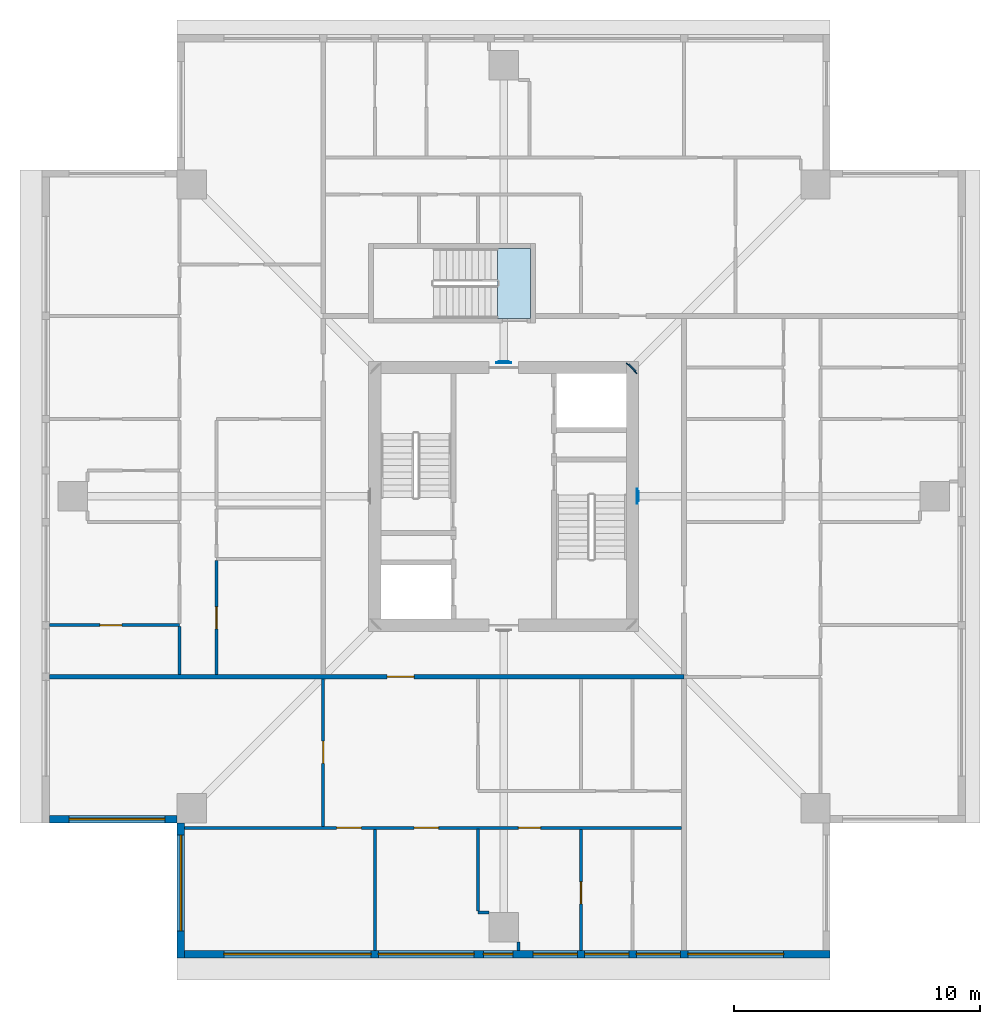
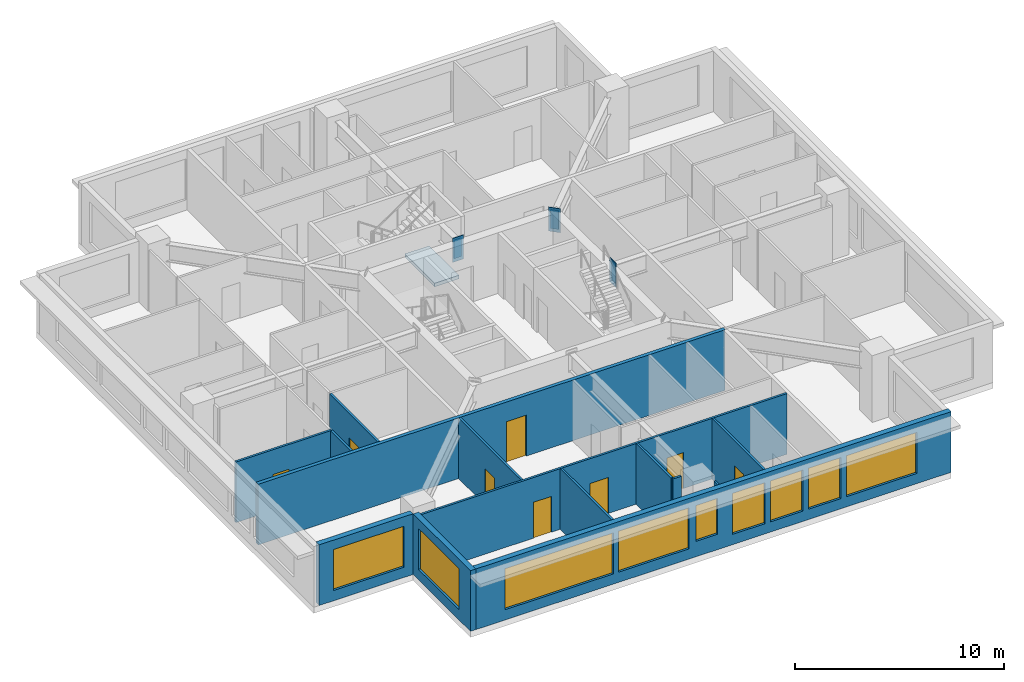
# One storey, part 4 of 11: 14 walls, 9 windows, 8 doors, 6 plates, 1 slab, 17 openings, 1 element without a shape of its own.
"""IFC4 building model written with IfcOpenShell, lengths in metres."""

from ifc_helpers import new_model, si_unit, direction, frame, frame_2d, origin, origin_2d, place, context, subcontext, project, spatial, polyline, rectangle, outline, extrude, material, layer, layer_set, type_object, element, fill, aggregate, save


model = new_model("IFC4")

# Units and contexts
model_context = context("Model", 3, precision=1e-05, world=origin(), true_north=direction((0.0, 1.0)))
body_context = subcontext(model_context, "Body", "Model", "MODEL_VIEW")
ifc_project = project(units=[si_unit("LENGTHUNIT", "METRE"), si_unit("AREAUNIT", "SQUARE_METRE"), si_unit("VOLUMEUNIT", "CUBIC_METRE"), si_unit("PLANEANGLEUNIT", "RADIAN"), si_unit("MASSUNIT", "GRAM", prefix="KILO")], contexts=[model_context])

# Site, building, storey
site_placement = place(None, origin())
site = spatial("IfcSite", under=ifc_project, at=site_placement, CompositionType="ELEMENT")
building_placement = place(site_placement, origin())
building = spatial("IfcBuilding", under=site, at=building_placement, Name="Khepri Terraces", CompositionType="ELEMENT")
storey_placement = place(building_placement, frame((0.0, 0.0, 308.39990234375)))
storey = spatial("IfcBuildingStorey", under=building, at=storey_placement, Name="L74", CompositionType="ELEMENT", Elevation=308.39990234375)

# Plates
ifc_material_1 = material(Name="Steel S355", Category="steel")
ifc_layer_1 = layer(ifc_material_1, 0.034912109375, Name="Steel S355", Category="steel")
ifc_layer_set_1 = layer_set([ifc_layer_1], Name="Steel S355")
plate_type_1 = type_object("IfcPlateType", Name="Cast-in plate 1400x600x35", PredefinedType="USERDEFINED", material=ifc_layer_set_1)
for number, where, z_axis, x_axis, name in (
    (1, (5.4423828125, 0.0, 2.35009765625), (0.0, 0.0, 1.0), (1.0, 0.0, 0.0), "CAST-IN PLATE CG-L74-E MID wall A"),
    (2, (0.0, 5.4423828125, 2.35009765625), (0.0, 0.0, 1.0), (0.0, 1.0, 0.0), "CAST-IN PLATE CG-L74-N MID wall A"),
    (3, (5.209228515625, 5.209228515625, 2.35009765625), (0.0, 0.0, 1.0), (0.707106781187, 0.707106781187, 0.0), "CAST-IN PLATE CG-L74-EN MID wall A"),
):
    element("IfcPlate", number, at=place(storey_placement, frame(where, z_axis=z_axis, x_axis=x_axis)), inside=storey, type_object=plate_type_1, Name=name, ObjectType="CAST-IN PLATE", PredefinedType="USERDEFINED", context=body_context, shape_type="SweptSolid", body=[
        extrude(rectangle(XDim=0.034912109375, YDim=0.60009765625, at=origin_2d()), origin(), (0.0, 0.0, 1.0), 1.39990234375),
    ])
ifc_layer_2 = layer(ifc_material_1, 0.0400390625, Name="Steel S355", Category="steel")
ifc_layer_set_2 = layer_set([ifc_layer_2], Name="Steel S355")
plate_type_2 = type_object("IfcPlateType", Name="End plate 1100x400x40", PredefinedType="USERDEFINED", material=ifc_layer_set_2)
for number, where, z_axis, x_axis, name in (
    (4, (5.47998046875, 0.0, 2.5), (0.0, 0.0, 1.0), (1.0, 0.0, 0.0), "END PLATE CG-L74-E MID end A"),
    (5, (0.0, 5.47998046875, 2.5), (0.0, 0.0, 1.0), (0.0, 1.0, 0.0), "END PLATE CG-L74-N MID end A"),
    (6, (5.23583984375, 5.23583984375, 2.5), (0.0, 0.0, 1.0), (0.707106781187, 0.707106781187, 0.0), "END PLATE CG-L74-EN MID end A"),
):
    element("IfcPlate", number, at=place(storey_placement, frame(where, z_axis=z_axis, x_axis=x_axis)), inside=storey, type_object=plate_type_2, Name=name, ObjectType="END PLATE", PredefinedType="USERDEFINED", context=body_context, shape_type="SweptSolid", body=[
        extrude(rectangle(XDim=0.0400390625, YDim=0.39990234375, at=origin_2d()), origin(), (0.0, 0.0, 1.0), 1.10009765625),
    ])

# Stair, slab
ifc_material_2 = material(Name="Concrete C40/50", Category="concrete")
stair_type = type_object("IfcStairType", Name="STAIR-RC-22R", PredefinedType="HALF_TURN_STAIR", material=ifc_material_2)
stair_placement = place(storey_placement, origin())
stair = element("IfcStair", 7, at=stair_placement, inside=storey, type_object=stair_type, Name="L74 Exit Stair ST-3", PredefinedType="HALF_TURN_STAIR")
ifc_layer_3 = layer(ifc_material_2, 0.199951171875, Name="Concrete C40/50", Category="concrete")
ifc_layer_set_3 = layer_set([ifc_layer_3], Name="Concrete C40/50")
slab_type = type_object("IfcSlabType", Name="SLB-CORE-LANDING", PredefinedType="LANDING", material=ifc_layer_set_3)
slab_placement = place(storey_placement, frame((0.0, 0.0, -0.199951171875)))
slab = element("IfcSlab", 8, at=slab_placement, type_object=slab_type, Name="ST-3 landing 1", PredefinedType="LANDING", context=body_context, shape_type="SweptSolid", body=[
    extrude(outline(polyline([(1.10009765625, 10.10009765625), (-0.25, 10.10009765625), (-0.25, 7.25), (1.10009765625, 7.25), (1.10009765625, 10.10009765625)])), origin(), (0.0, 0.0, 1.0), 0.199951171875),
])
aggregate(stair, [slab])

# Wall, opening, door
ifc_material_3 = material(Name="Fire-rated gypsum plasterboard partition, mineral wool")
ifc_layer_4 = layer(ifc_material_3, 0.199951171875, Name="Fire-rated gypsum plasterboard partition, mineral wool")
ifc_layer_set_4 = layer_set([ifc_layer_4], Name="Fire-rated gypsum plasterboard partition, mineral wool")
wall_type_1 = type_object("IfcWallType", Name="WL-CORR-200", PredefinedType="PARTITIONING", material=ifc_layer_set_4)
wall_1_placement = place(storey_placement, frame((-18.5, -7.35009765625, 0.0), z_axis=(0.0, 0.0, 1.0), x_axis=(1.0, 0.0, 0.0)))
wall_1 = element("IfcWall", 9, at=wall_1_placement, inside=storey, type_object=wall_type_1, Name="Partition P-015 L74", PredefinedType="PARTITIONING", context=body_context, shape_type="SweptSolid", body=[
    extrude(rectangle(XDim=25.85009765625, YDim=0.199951171875, at=frame_2d((12.925048828125, 0.0))), origin(), (0.0, 0.0, 1.0), 3.550048828125),
])
opening_1_placement = place(wall_1_placement, frame((13.75, 0.0, 0.0)))
opening_1 = element("IfcOpeningElement", 10, at=opening_1_placement, cuts=wall_1, Name="Opening D1", PredefinedType="OPENING", context=body_context, shape_type="SweptSolid", body=[
    extrude(rectangle(XDim=1.10009765625, YDim=2.39990234375, at=frame_2d((0.550048828125, 1.199951171875))), frame((0.0, 0.10986328125, 0.0), z_axis=(0.0, -1.0, 0.0), x_axis=(1.0, 0.0, 0.0)), (0.0, 0.0, 1.0), 0.219970703125),
])
ifc_material_4 = material(Name="Solid-core timber door leaf, flat entrance door", Category="wood")
door_type_1 = type_object("IfcDoorType", Name="DR-ENT-1100", OperationType="NOTDEFINED", PredefinedType="DOOR", material=ifc_material_4)
door_1_placement = place(opening_1_placement, frame((1.10009765625, 0.0, 0.0), z_axis=(0.0, 0.0, 1.0), x_axis=(-1.0, 0.0, 0.0)))
door_1 = element("IfcDoor", 11, at=door_1_placement, inside=storey, type_object=door_type_1, Name="Flat A1 entrance door", OperationType="SINGLE_SWING_LEFT", OverallHeight=2.39990234375, OverallWidth=1.10009765625, PredefinedType="DOOR", context=body_context, shape_type="SweptSolid", body=[
    extrude(rectangle(XDim=1.10009765625, YDim=2.39990234375, at=frame_2d((0.550048828125, 1.199951171875))), frame((0.0, 0.02490234375, 0.0), z_axis=(0.0, -1.0, 0.0), x_axis=(1.0, 0.0, 0.0)), (0.0, 0.0, 1.0), 0.050048828125),
])
fill(opening_1, door_1)

# Wall, opening, window
ifc_material_5 = material(Name="Precast concrete C50/60 warm stone", Category="masonry")
ifc_layer_5 = layer(ifc_material_5, 0.300048828125, Name="Precast concrete C50/60 warm stone", Category="masonry")
ifc_layer_set_5 = layer_set([ifc_layer_5], Name="Precast concrete C50/60 warm stone")
wall_type_2 = type_object("IfcWallType", Name="WL-EXT-PRECAST-300", PredefinedType="STANDARD", material=ifc_layer_set_5)
wall_2_placement = place(storey_placement, frame((-18.5, -13.14990234375, 0.0), z_axis=(0.0, 0.0, 1.0), x_axis=(1.0, 0.0, 0.0)))
wall_2 = element("IfcWall", 12, at=wall_2_placement, inside=storey, type_object=wall_type_2, Name="External wall L74 S", PredefinedType="STANDARD", context=body_context, shape_type="SweptSolid", body=[
    extrude(rectangle(XDim=5.199951171875, YDim=0.300048828125, at=frame_2d((2.60009765625, 0.0))), origin(), (0.0, 0.0, 1.0), 3.550048828125),
])
opening_2_placement = place(wall_2_placement, frame((0.800048828125, 0.0, 0.60009765625)))
opening_2 = element("IfcOpeningElement", 13, at=opening_2_placement, cuts=wall_2, Name="Opening WC2", PredefinedType="OPENING", context=body_context, shape_type="SweptSolid", body=[
    extrude(rectangle(XDim=3.89990234375, YDim=2.39990234375, at=frame_2d((1.949951171875, 1.199951171875))), frame((0.0, 0.16015625, 0.0), z_axis=(0.0, -1.0, 0.0), x_axis=(1.0, 0.0, 0.0)), (0.0, 0.0, 1.0), 0.320068359375),
])
ifc_material_6 = material(Name="Clear glass", Category="glass")
window_type_1 = type_object("IfcWindowType", Name="WIN-CRN-3900x2400", PartitioningType="SINGLE_PANEL", PredefinedType="WINDOW", material=ifc_material_6)
window_1_placement = place(opening_2_placement, origin())
window_1 = element("IfcWindow", 14, at=window_1_placement, inside=storey, type_object=window_type_1, Name="Window L74 S", OverallHeight=2.39990234375, OverallWidth=3.89990234375, PartitioningType="SINGLE_PANEL", PredefinedType="WINDOW", context=body_context, shape_type="SweptSolid", body=[
    extrude(rectangle(XDim=3.89990234375, YDim=2.39990234375, at=frame_2d((1.949951171875, 1.199951171875))), frame((0.0, 0.030029296875, 0.0), z_axis=(0.0, -1.0, 0.0), x_axis=(1.0, 0.0, 0.0)), (0.0, 0.0, 1.0), 0.06005859375),
])
fill(opening_2, window_1)

wall_3_placement = place(storey_placement, frame((-13.14990234375, -13.300048828125, 0.0), z_axis=(0.0, 0.0, 1.0), x_axis=(0.0, -1.0, 0.0)))
wall_3 = element("IfcWall", 15, at=wall_3_placement, inside=storey, type_object=wall_type_2, Name="External wall L74 W", PredefinedType="STANDARD", context=body_context, shape_type="SweptSolid", body=[
    extrude(rectangle(XDim=5.5, YDim=0.300048828125, at=frame_2d((2.75, 0.0))), origin(), (0.0, 0.0, 1.0), 3.550048828125),
])
opening_3_placement = place(wall_3_placement, frame((0.5, 0.0, 0.60009765625)))
opening_3 = element("IfcOpeningElement", 16, at=opening_3_placement, cuts=wall_3, Name="Opening WC2", PredefinedType="OPENING", context=body_context, shape_type="SweptSolid", body=[
    extrude(rectangle(XDim=3.89990234375, YDim=2.39990234375, at=frame_2d((1.949951171875, 1.199951171875))), frame((0.0, 0.16015625, 0.0), z_axis=(0.0, -1.0, 0.0), x_axis=(1.0, 0.0, 0.0)), (0.0, 0.0, 1.0), 0.320068359375),
])
window_2_placement = place(opening_3_placement, origin())
window_2 = element("IfcWindow", 17, at=window_2_placement, inside=storey, type_object=window_type_1, Name="Window L74 W", OverallHeight=2.39990234375, OverallWidth=3.89990234375, PartitioningType="SINGLE_PANEL", PredefinedType="WINDOW", context=body_context, shape_type="SweptSolid", body=[
    extrude(rectangle(XDim=3.89990234375, YDim=2.39990234375, at=frame_2d((1.949951171875, 1.199951171875))), frame((0.0, 0.030029296875, 0.0), z_axis=(0.0, -1.0, 0.0), x_axis=(1.0, 0.0, 0.0)), (0.0, 0.0, 1.0), 0.06005859375),
])
fill(opening_3, window_2)

# Wall, openings, windows
wall_4_placement = place(storey_placement, frame((-13.0, -18.64990234375, 0.0), z_axis=(0.0, 0.0, 1.0), x_axis=(1.0, 0.0, 0.0)))
wall_4 = element("IfcWall", 18, at=wall_4_placement, inside=storey, type_object=wall_type_2, Name="External wall L74 S", PredefinedType="STANDARD", context=body_context, shape_type="SweptSolid", body=[
    extrude(rectangle(XDim=26.300048828125, YDim=0.300048828125, at=frame_2d((13.14990234375, 0.0))), origin(), (0.0, 0.0, 1.0), 3.550048828125),
])
opening_4_placement = place(wall_4_placement, frame((1.60009765625, 0.0, 0.60009765625)))
opening_4 = element("IfcOpeningElement", 19, at=opening_4_placement, cuts=wall_4, Name="Opening WC3", PredefinedType="OPENING", context=body_context, shape_type="SweptSolid", body=[
    extrude(rectangle(XDim=6.0, YDim=2.39990234375, at=frame_2d((3.0, 1.199951171875))), frame((0.0, 0.16015625, 0.0), z_axis=(0.0, -1.0, 0.0), x_axis=(1.0, 0.0, 0.0)), (0.0, 0.0, 1.0), 0.320068359375),
])
opening_5_placement = place(wall_4_placement, frame((7.89990234375, 0.0, 0.60009765625)))
opening_5 = element("IfcOpeningElement", 20, at=opening_5_placement, cuts=wall_4, Name="Opening WC2", PredefinedType="OPENING", context=body_context, shape_type="SweptSolid", body=[
    extrude(rectangle(XDim=3.89990234375, YDim=2.39990234375, at=frame_2d((1.949951171875, 1.199951171875))), frame((0.0, 0.16015625, 0.0), z_axis=(0.0, -1.0, 0.0), x_axis=(1.0, 0.0, 0.0)), (0.0, 0.0, 1.0), 0.320068359375),
])
opening_6_placement = place(wall_4_placement, frame((14.199951171875, 0.0, 0.60009765625)))
opening_6 = element("IfcOpeningElement", 21, at=opening_6_placement, cuts=wall_4, Name="Opening WC1", PredefinedType="OPENING", context=body_context, shape_type="SweptSolid", body=[
    extrude(rectangle(XDim=1.800048828125, YDim=2.39990234375, at=frame_2d((0.89990234375, 1.199951171875))), frame((0.0, 0.16015625, 0.0), z_axis=(0.0, -1.0, 0.0), x_axis=(1.0, 0.0, 0.0)), (0.0, 0.0, 1.0), 0.320068359375),
])
opening_7_placement = place(wall_4_placement, frame((16.300048828125, 0.0, 0.60009765625)))
opening_7 = element("IfcOpeningElement", 22, at=opening_7_placement, cuts=wall_4, Name="Opening WC1", PredefinedType="OPENING", context=body_context, shape_type="SweptSolid", body=[
    extrude(rectangle(XDim=1.800048828125, YDim=2.39990234375, at=frame_2d((0.89990234375, 1.199951171875))), frame((0.0, 0.16015625, 0.0), z_axis=(0.0, -1.0, 0.0), x_axis=(1.0, 0.0, 0.0)), (0.0, 0.0, 1.0), 0.320068359375),
])
opening_8_placement = place(wall_4_placement, frame((18.39990234375, 0.0, 0.60009765625)))
opening_8 = element("IfcOpeningElement", 23, at=opening_8_placement, cuts=wall_4, Name="Opening WC1", PredefinedType="OPENING", context=body_context, shape_type="SweptSolid", body=[
    extrude(rectangle(XDim=1.800048828125, YDim=2.39990234375, at=frame_2d((0.89990234375, 1.199951171875))), frame((0.0, 0.16015625, 0.0), z_axis=(0.0, -1.0, 0.0), x_axis=(1.0, 0.0, 0.0)), (0.0, 0.0, 1.0), 0.320068359375),
])
opening_9_placement = place(wall_4_placement, frame((20.5, 0.0, 0.60009765625)))
opening_9 = element("IfcOpeningElement", 24, at=opening_9_placement, cuts=wall_4, Name="Opening WC2", PredefinedType="OPENING", context=body_context, shape_type="SweptSolid", body=[
    extrude(rectangle(XDim=3.89990234375, YDim=2.39990234375, at=frame_2d((1.949951171875, 1.199951171875))), frame((0.0, 0.16015625, 0.0), z_axis=(0.0, -1.0, 0.0), x_axis=(1.0, 0.0, 0.0)), (0.0, 0.0, 1.0), 0.320068359375),
])
opening_10_placement = place(wall_4_placement, frame((12.175048828125, 0.0, 0.89990234375)))
opening_10 = element("IfcOpeningElement", 25, at=opening_10_placement, cuts=wall_4, Name="Opening W4", PredefinedType="OPENING", context=body_context, shape_type="SweptSolid", body=[
    extrude(rectangle(XDim=1.199951171875, YDim=2.10009765625, at=frame_2d((0.60009765625, 1.050048828125))), frame((0.0, 0.16015625, 0.0), z_axis=(0.0, -1.0, 0.0), x_axis=(1.0, 0.0, 0.0)), (0.0, 0.0, 1.0), 0.320068359375),
])
window_type_2 = type_object("IfcWindowType", Name="WIN-CRN-1800x2400", PartitioningType="SINGLE_PANEL", PredefinedType="WINDOW", material=ifc_material_6)
window_3_placement = place(opening_6_placement, origin())
window_3 = element("IfcWindow", 26, at=window_3_placement, inside=storey, type_object=window_type_2, Name="Window L74 S", OverallHeight=2.39990234375, OverallWidth=1.800048828125, PartitioningType="SINGLE_PANEL", PredefinedType="WINDOW", context=body_context, shape_type="SweptSolid", body=[
    extrude(rectangle(XDim=1.800048828125, YDim=2.39990234375, at=frame_2d((0.89990234375, 1.199951171875))), frame((0.0, 0.030029296875, 0.0), z_axis=(0.0, -1.0, 0.0), x_axis=(1.0, 0.0, 0.0)), (0.0, 0.0, 1.0), 0.06005859375),
])
fill(opening_6, window_3)
window_4_placement = place(opening_7_placement, origin())
window_4 = element("IfcWindow", 27, at=window_4_placement, inside=storey, type_object=window_type_2, Name="Window L74 S", OverallHeight=2.39990234375, OverallWidth=1.800048828125, PartitioningType="SINGLE_PANEL", PredefinedType="WINDOW", context=body_context, shape_type="SweptSolid", body=[
    extrude(rectangle(XDim=1.800048828125, YDim=2.39990234375, at=frame_2d((0.89990234375, 1.199951171875))), frame((0.0, 0.030029296875, 0.0), z_axis=(0.0, -1.0, 0.0), x_axis=(1.0, 0.0, 0.0)), (0.0, 0.0, 1.0), 0.06005859375),
])
fill(opening_7, window_4)
window_5_placement = place(opening_8_placement, origin())
window_5 = element("IfcWindow", 28, at=window_5_placement, inside=storey, type_object=window_type_2, Name="Window L74 S", OverallHeight=2.39990234375, OverallWidth=1.800048828125, PartitioningType="SINGLE_PANEL", PredefinedType="WINDOW", context=body_context, shape_type="SweptSolid", body=[
    extrude(rectangle(XDim=1.800048828125, YDim=2.39990234375, at=frame_2d((0.89990234375, 1.199951171875))), frame((0.0, 0.030029296875, 0.0), z_axis=(0.0, -1.0, 0.0), x_axis=(1.0, 0.0, 0.0)), (0.0, 0.0, 1.0), 0.06005859375),
])
fill(opening_8, window_5)
window_6_placement = place(opening_5_placement, origin())
window_6 = element("IfcWindow", 29, at=window_6_placement, inside=storey, type_object=window_type_1, Name="Window L74 S", OverallHeight=2.39990234375, OverallWidth=3.89990234375, PartitioningType="SINGLE_PANEL", PredefinedType="WINDOW", context=body_context, shape_type="SweptSolid", body=[
    extrude(rectangle(XDim=3.89990234375, YDim=2.39990234375, at=frame_2d((1.949951171875, 1.199951171875))), frame((0.0, 0.030029296875, 0.0), z_axis=(0.0, -1.0, 0.0), x_axis=(1.0, 0.0, 0.0)), (0.0, 0.0, 1.0), 0.06005859375),
])
fill(opening_5, window_6)
window_7_placement = place(opening_9_placement, origin())
window_7 = element("IfcWindow", 30, at=window_7_placement, inside=storey, type_object=window_type_1, Name="Window L74 S", OverallHeight=2.39990234375, OverallWidth=3.89990234375, PartitioningType="SINGLE_PANEL", PredefinedType="WINDOW", context=body_context, shape_type="SweptSolid", body=[
    extrude(rectangle(XDim=3.89990234375, YDim=2.39990234375, at=frame_2d((1.949951171875, 1.199951171875))), frame((0.0, 0.030029296875, 0.0), z_axis=(0.0, -1.0, 0.0), x_axis=(1.0, 0.0, 0.0)), (0.0, 0.0, 1.0), 0.06005859375),
])
fill(opening_9, window_7)
window_type_3 = type_object("IfcWindowType", Name="WIN-CRN-6000x2400", PartitioningType="SINGLE_PANEL", PredefinedType="WINDOW", material=ifc_material_6)
window_8_placement = place(opening_4_placement, origin())
window_8 = element("IfcWindow", 31, at=window_8_placement, inside=storey, type_object=window_type_3, Name="Window L74 S", OverallHeight=2.39990234375, OverallWidth=6.0, PartitioningType="SINGLE_PANEL", PredefinedType="WINDOW", context=body_context, shape_type="SweptSolid", body=[
    extrude(rectangle(XDim=6.0, YDim=2.39990234375, at=frame_2d((3.0, 1.199951171875))), frame((0.0, 0.030029296875, 0.0), z_axis=(0.0, -1.0, 0.0), x_axis=(1.0, 0.0, 0.0)), (0.0, 0.0, 1.0), 0.06005859375),
])
fill(opening_4, window_8)
window_type_4 = type_object("IfcWindowType", Name="WIN-RES-1200x2100", PartitioningType="SINGLE_PANEL", PredefinedType="WINDOW", material=ifc_material_6)
window_9_placement = place(opening_10_placement, origin())
window_9 = element("IfcWindow", 32, at=window_9_placement, inside=storey, type_object=window_type_4, Name="Window L74 S", OverallHeight=2.10009765625, OverallWidth=1.199951171875, PartitioningType="SINGLE_PANEL", PredefinedType="WINDOW", context=body_context, shape_type="SweptSolid", body=[
    extrude(rectangle(XDim=1.199951171875, YDim=2.10009765625, at=frame_2d((0.60009765625, 1.050048828125))), frame((0.0, 0.030029296875, 0.0), z_axis=(0.0, -1.0, 0.0), x_axis=(1.0, 0.0, 0.0)), (0.0, 0.0, 1.0), 0.06005859375),
])
fill(opening_10, window_9)

# Walls
ifc_material_7 = material(Name="Gypsum plasterboard partition")
ifc_layer_6 = layer(ifc_material_7, 0.1201171875, Name="Gypsum plasterboard partition")
ifc_layer_set_6 = layer_set([ifc_layer_6], Name="Gypsum plasterboard partition")
wall_type_3 = type_object("IfcWallType", Name="WL-PART-120", PredefinedType="PARTITIONING", material=ifc_layer_set_6)
wall_5_placement = place(storey_placement, frame((-5.25, -18.5, 0.0), z_axis=(0.0, 0.0, 1.0), x_axis=(0.0, 1.0, 0.0)))
element("IfcWall", 33, at=wall_5_placement, inside=storey, type_object=wall_type_3, Name="Partition P-001 L74", PredefinedType="PARTITIONING", context=body_context, shape_type="SweptSolid", body=[
    extrude(rectangle(XDim=4.93994140625, YDim=0.1201171875, at=frame_2d((2.469970703125, 0.0))), origin(), (0.0, 0.0, 1.0), 3.550048828125),
])
wall_6_placement = place(storey_placement, frame((0.60107421875, -18.5, 0.0), z_axis=(0.0, 0.0, 1.0), x_axis=(0.0, 1.0, 0.0)))
element("IfcWall", 34, at=wall_6_placement, inside=storey, type_object=wall_type_3, Name="Partition P-002 L74", PredefinedType="PARTITIONING", context=body_context, shape_type="SweptSolid", body=[
    extrude(rectangle(XDim=0.35009765625, YDim=0.1201171875, at=frame_2d((0.175048828125, 0.0))), origin(), (0.0, 0.0, 1.0), 3.550048828125),
])

# Wall, opening, door
wall_7_placement = place(storey_placement, frame((3.14990234375, -18.5, 0.0), z_axis=(0.0, 0.0, 1.0), x_axis=(0.0, 1.0, 0.0)))
wall_7 = element("IfcWall", 35, at=wall_7_placement, inside=storey, type_object=wall_type_3, Name="Partition P-003 L74", PredefinedType="PARTITIONING", context=body_context, shape_type="SweptSolid", body=[
    extrude(rectangle(XDim=4.93994140625, YDim=0.1201171875, at=frame_2d((2.469970703125, 0.0))), origin(), (0.0, 0.0, 1.0), 3.550048828125),
])
opening_11_placement = place(wall_7_placement, frame((1.89990234375, 0.0, 0.0)))
opening_11 = element("IfcOpeningElement", 36, at=opening_11_placement, cuts=wall_7, Name="Opening D3", PredefinedType="OPENING", context=body_context, shape_type="SweptSolid", body=[
    extrude(rectangle(XDim=0.89990234375, YDim=2.10009765625, at=frame_2d((0.449951171875, 1.050048828125))), frame((0.0, 0.070068359375, 0.0), z_axis=(0.0, -1.0, 0.0), x_axis=(1.0, 0.0, 0.0)), (0.0, 0.0, 1.0), 0.14013671875),
])
ifc_material_8 = material(Name="Timber door leaf", Category="wood")
door_type_2 = type_object("IfcDoorType", Name="DR-INT-900", OperationType="NOTDEFINED", PredefinedType="DOOR", material=ifc_material_8)
door_2_placement = place(opening_11_placement, frame((0.89990234375, 0.0, 0.0), z_axis=(0.0, 0.0, 1.0), x_axis=(-1.0, 0.0, 0.0)))
door_2 = element("IfcDoor", 37, at=door_2_placement, inside=storey, type_object=door_type_2, Name="Door Dressing Room", OperationType="SINGLE_SWING_RIGHT", OverallHeight=2.10009765625, OverallWidth=0.89990234375, PredefinedType="DOOR", context=body_context, shape_type="SweptSolid", body=[
    extrude(rectangle(XDim=0.89990234375, YDim=2.10009765625, at=frame_2d((0.449951171875, 1.050048828125))), frame((0.0, 0.02490234375, 0.0), z_axis=(0.0, -1.0, 0.0), x_axis=(1.0, 0.0, 0.0)), (0.0, 0.0, 1.0), 0.050048828125),
])
fill(opening_11, door_2)

# Walls
wall_8_placement = place(storey_placement, frame((-1.050048828125, -16.948974609375, 0.0), z_axis=(0.0, 0.0, 1.0), x_axis=(1.0, 0.0, 0.0)))
element("IfcWall", 38, at=wall_8_placement, inside=storey, type_object=wall_type_3, Name="Partition P-006 L74", PredefinedType="PARTITIONING", context=body_context, shape_type="SweptSolid", body=[
    extrude(rectangle(XDim=0.449951171875, YDim=0.1201171875, at=frame_2d((0.22509765625, 0.0))), origin(), (0.0, 0.0, 1.0), 3.550048828125),
])
wall_9_placement = place(storey_placement, frame((-1.050048828125, -16.888916015625, 0.0), z_axis=(0.0, 0.0, 1.0), x_axis=(0.0, 1.0, 0.0)))
element("IfcWall", 39, at=wall_9_placement, inside=storey, type_object=wall_type_3, Name="Partition P-007 L74", PredefinedType="PARTITIONING", context=body_context, shape_type="SweptSolid", body=[
    extrude(rectangle(XDim=3.328857421875, YDim=0.1201171875, at=frame_2d((1.66455078125, 0.0))), origin(), (0.0, 0.0, 1.0), 3.550048828125),
])

# Wall, openings, doors
wall_10_placement = place(storey_placement, frame((-13.0, -13.5, 0.0), z_axis=(0.0, 0.0, 1.0), x_axis=(1.0, 0.0, 0.0)))
wall_10 = element("IfcWall", 40, at=wall_10_placement, inside=storey, type_object=wall_type_3, Name="Partition P-008 L74", PredefinedType="PARTITIONING", context=body_context, shape_type="SweptSolid", body=[
    extrude(rectangle(XDim=20.25, YDim=0.1201171875, at=frame_2d((10.125, 0.0))), origin(), (0.0, 0.0, 1.0), 3.550048828125),
])
opening_12_placement = place(wall_10_placement, frame((6.199951171875, 0.0, 0.0)))
opening_12 = element("IfcOpeningElement", 41, at=opening_12_placement, cuts=wall_10, Name="Opening D2", PredefinedType="OPENING", context=body_context, shape_type="SweptSolid", body=[
    extrude(rectangle(XDim=1.0, YDim=2.10009765625, at=frame_2d((0.5, 1.050048828125))), frame((0.0, 0.070068359375, 0.0), z_axis=(0.0, -1.0, 0.0), x_axis=(1.0, 0.0, 0.0)), (0.0, 0.0, 1.0), 0.14013671875),
])
opening_13_placement = place(wall_10_placement, frame((9.35009765625, 0.0, 0.0)))
opening_13 = element("IfcOpeningElement", 42, at=opening_13_placement, cuts=wall_10, Name="Opening D2", PredefinedType="OPENING", context=body_context, shape_type="SweptSolid", body=[
    extrude(rectangle(XDim=1.0, YDim=2.10009765625, at=frame_2d((0.5, 1.050048828125))), frame((0.0, 0.070068359375, 0.0), z_axis=(0.0, -1.0, 0.0), x_axis=(1.0, 0.0, 0.0)), (0.0, 0.0, 1.0), 0.14013671875),
])
opening_14_placement = place(wall_10_placement, frame((13.60009765625, 0.0, 0.0)))
opening_14 = element("IfcOpeningElement", 43, at=opening_14_placement, cuts=wall_10, Name="Opening D3", PredefinedType="OPENING", context=body_context, shape_type="SweptSolid", body=[
    extrude(rectangle(XDim=0.89990234375, YDim=2.10009765625, at=frame_2d((0.449951171875, 1.050048828125))), frame((0.0, 0.070068359375, 0.0), z_axis=(0.0, -1.0, 0.0), x_axis=(1.0, 0.0, 0.0)), (0.0, 0.0, 1.0), 0.14013671875),
])
ifc_material_9 = material(Name="Timber door leaf, living room door", Category="wood")
door_type_3 = type_object("IfcDoorType", Name="DR-INT-1000", OperationType="NOTDEFINED", PredefinedType="DOOR", material=ifc_material_9)
door_3_placement = place(opening_12_placement, frame((1.0, 0.0, 0.0), z_axis=(0.0, 0.0, 1.0), x_axis=(-1.0, 0.0, 0.0)))
door_3 = element("IfcDoor", 44, at=door_3_placement, inside=storey, type_object=door_type_3, Name="Door Living Room", OperationType="SINGLE_SWING_RIGHT", OverallHeight=2.10009765625, OverallWidth=1.0, PredefinedType="DOOR", context=body_context, shape_type="SweptSolid", body=[
    extrude(rectangle(XDim=1.0, YDim=2.10009765625, at=frame_2d((0.5, 1.050048828125))), frame((0.0, 0.02490234375, 0.0), z_axis=(0.0, -1.0, 0.0), x_axis=(1.0, 0.0, 0.0)), (0.0, 0.0, 1.0), 0.050048828125),
])
fill(opening_12, door_3)
door_4_placement = place(opening_13_placement, frame((1.0, 0.0, 0.0), z_axis=(0.0, 0.0, 1.0), x_axis=(-1.0, 0.0, 0.0)))
door_4 = element("IfcDoor", 45, at=door_4_placement, inside=storey, type_object=door_type_3, Name="Door Dining Room", OperationType="SINGLE_SWING_RIGHT", OverallHeight=2.10009765625, OverallWidth=1.0, PredefinedType="DOOR", context=body_context, shape_type="SweptSolid", body=[
    extrude(rectangle(XDim=1.0, YDim=2.10009765625, at=frame_2d((0.5, 1.050048828125))), frame((0.0, 0.02490234375, 0.0), z_axis=(0.0, -1.0, 0.0), x_axis=(1.0, 0.0, 0.0)), (0.0, 0.0, 1.0), 0.050048828125),
])
fill(opening_13, door_4)
door_5_placement = place(opening_14_placement, frame((0.89990234375, 0.0, 0.0), z_axis=(0.0, 0.0, 1.0), x_axis=(-1.0, 0.0, 0.0)))
door_5 = element("IfcDoor", 46, at=door_5_placement, inside=storey, type_object=door_type_2, Name="Door Master Bedroom", OperationType="SINGLE_SWING_LEFT", OverallHeight=2.10009765625, OverallWidth=0.89990234375, PredefinedType="DOOR", context=body_context, shape_type="SweptSolid", body=[
    extrude(rectangle(XDim=0.89990234375, YDim=2.10009765625, at=frame_2d((0.449951171875, 1.050048828125))), frame((0.0, 0.02490234375, 0.0), z_axis=(0.0, -1.0, 0.0), x_axis=(1.0, 0.0, 0.0)), (0.0, 0.0, 1.0), 0.050048828125),
])
fill(opening_14, door_5)

# Wall, opening, door
wall_11_placement = place(storey_placement, frame((-7.35009765625, -13.43994140625, 0.0), z_axis=(0.0, 0.0, 1.0), x_axis=(0.0, 1.0, 0.0)))
wall_11 = element("IfcWall", 47, at=wall_11_placement, inside=storey, type_object=wall_type_3, Name="Partition P-009 L74", PredefinedType="PARTITIONING", context=body_context, shape_type="SweptSolid", body=[
    extrude(rectangle(XDim=5.989990234375, YDim=0.1201171875, at=frame_2d((2.9951171875, 0.0))), origin(), (0.0, 0.0, 1.0), 3.550048828125),
])
opening_15_placement = place(wall_11_placement, frame((2.56494140625, 0.0, 0.0)))
opening_15 = element("IfcOpeningElement", 48, at=opening_15_placement, cuts=wall_11, Name="Opening D3", PredefinedType="OPENING", context=body_context, shape_type="SweptSolid", body=[
    extrude(rectangle(XDim=0.89990234375, YDim=2.10009765625, at=frame_2d((0.449951171875, 1.050048828125))), frame((0.0, 0.070068359375, 0.0), z_axis=(0.0, -1.0, 0.0), x_axis=(1.0, 0.0, 0.0)), (0.0, 0.0, 1.0), 0.14013671875),
])
door_6_placement = place(opening_15_placement, origin())
door_6 = element("IfcDoor", 49, at=door_6_placement, inside=storey, type_object=door_type_2, Name="Door Library", OperationType="SINGLE_SWING_RIGHT", OverallHeight=2.10009765625, OverallWidth=0.89990234375, PredefinedType="DOOR", context=body_context, shape_type="SweptSolid", body=[
    extrude(rectangle(XDim=0.89990234375, YDim=2.10009765625, at=frame_2d((0.449951171875, 1.050048828125))), frame((0.0, 0.02490234375, 0.0), z_axis=(0.0, -1.0, 0.0), x_axis=(1.0, 0.0, 0.0)), (0.0, 0.0, 1.0), 0.050048828125),
])
fill(opening_15, door_6)

# Wall
wall_12_placement = place(storey_placement, frame((-13.199951171875, -7.25, 0.0), z_axis=(0.0, 0.0, 1.0), x_axis=(0.0, 1.0, 0.0)))
element("IfcWall", 50, at=wall_12_placement, inside=storey, type_object=wall_type_3, Name="Partition P-018 L74", PredefinedType="PARTITIONING", context=body_context, shape_type="SweptSolid", body=[
    extrude(rectangle(XDim=1.93994140625, YDim=0.1201171875, at=frame_2d((0.969970703125, 0.0))), origin(), (0.0, 0.0, 1.0), 3.550048828125),
])

# Wall, opening, door
wall_13_placement = place(storey_placement, frame((-11.699951171875, -7.25, 0.0), z_axis=(0.0, 0.0, 1.0), x_axis=(0.0, 1.0, 0.0)))
wall_13 = element("IfcWall", 51, at=wall_13_placement, inside=storey, type_object=wall_type_3, Name="Partition P-019 L74", PredefinedType="PARTITIONING", context=body_context, shape_type="SweptSolid", body=[
    extrude(rectangle(XDim=4.639892578125, YDim=0.1201171875, at=frame_2d((2.31982421875, 0.0))), origin(), (0.0, 0.0, 1.0), 3.550048828125),
])
opening_16_placement = place(wall_13_placement, frame((1.85009765625, 0.0, 0.0)))
opening_16 = element("IfcOpeningElement", 52, at=opening_16_placement, cuts=wall_13, Name="Opening D3", PredefinedType="OPENING", context=body_context, shape_type="SweptSolid", body=[
    extrude(rectangle(XDim=0.89990234375, YDim=2.10009765625, at=frame_2d((0.449951171875, 1.050048828125))), frame((0.0, 0.070068359375, 0.0), z_axis=(0.0, -1.0, 0.0), x_axis=(1.0, 0.0, 0.0)), (0.0, 0.0, 1.0), 0.14013671875),
])
door_7_placement = place(opening_16_placement, frame((0.89990234375, 0.0, 0.0), z_axis=(0.0, 0.0, 1.0), x_axis=(-1.0, 0.0, 0.0)))
door_7 = element("IfcDoor", 53, at=door_7_placement, inside=storey, type_object=door_type_2, Name="Door Staff Bedroom", OperationType="SINGLE_SWING_RIGHT", OverallHeight=2.10009765625, OverallWidth=0.89990234375, PredefinedType="DOOR", context=body_context, shape_type="SweptSolid", body=[
    extrude(rectangle(XDim=0.89990234375, YDim=2.10009765625, at=frame_2d((0.449951171875, 1.050048828125))), frame((0.0, 0.02490234375, 0.0), z_axis=(0.0, -1.0, 0.0), x_axis=(1.0, 0.0, 0.0)), (0.0, 0.0, 1.0), 0.050048828125),
])
fill(opening_16, door_7)

wall_14_placement = place(storey_placement, frame((-18.5, -5.25, 0.0), z_axis=(0.0, 0.0, 1.0), x_axis=(1.0, 0.0, 0.0)))
wall_14 = element("IfcWall", 54, at=wall_14_placement, inside=storey, type_object=wall_type_3, Name="Partition P-022 L74", PredefinedType="PARTITIONING", context=body_context, shape_type="SweptSolid", body=[
    extrude(rectangle(XDim=5.300048828125, YDim=0.1201171875, at=frame_2d((2.64990234375, 0.0))), origin(), (0.0, 0.0, 1.0), 3.550048828125),
])
opening_17_placement = place(wall_14_placement, frame((2.050048828125, 0.0, 0.0)))
opening_17 = element("IfcOpeningElement", 55, at=opening_17_placement, cuts=wall_14, Name="Opening D4", PredefinedType="OPENING", context=body_context, shape_type="SweptSolid", body=[
    extrude(rectangle(XDim=0.89990234375, YDim=2.10009765625, at=frame_2d((0.449951171875, 1.050048828125))), frame((0.0, 0.070068359375, 0.0), z_axis=(0.0, -1.0, 0.0), x_axis=(1.0, 0.0, 0.0)), (0.0, 0.0, 1.0), 0.14013671875),
])
ifc_material_10 = material(Name="Timber door leaf, moisture resistant", Category="wood")
door_type_4 = type_object("IfcDoorType", Name="DR-WET-900", OperationType="NOTDEFINED", PredefinedType="DOOR", material=ifc_material_10)
door_8_placement = place(opening_17_placement, frame((0.89990234375, 0.0, 0.0), z_axis=(0.0, 0.0, 1.0), x_axis=(-1.0, 0.0, 0.0)))
door_8 = element("IfcDoor", 56, at=door_8_placement, inside=storey, type_object=door_type_4, Name="Door Bathroom", OperationType="SINGLE_SWING_RIGHT", OverallHeight=2.10009765625, OverallWidth=0.89990234375, PredefinedType="DOOR", context=body_context, shape_type="SweptSolid", body=[
    extrude(rectangle(XDim=0.89990234375, YDim=2.10009765625, at=frame_2d((0.449951171875, 1.050048828125))), frame((0.0, 0.02490234375, 0.0), z_axis=(0.0, -1.0, 0.0), x_axis=(1.0, 0.0, 0.0)), (0.0, 0.0, 1.0), 0.050048828125),
])
fill(opening_17, door_8)

save(model, "model.ifc")
